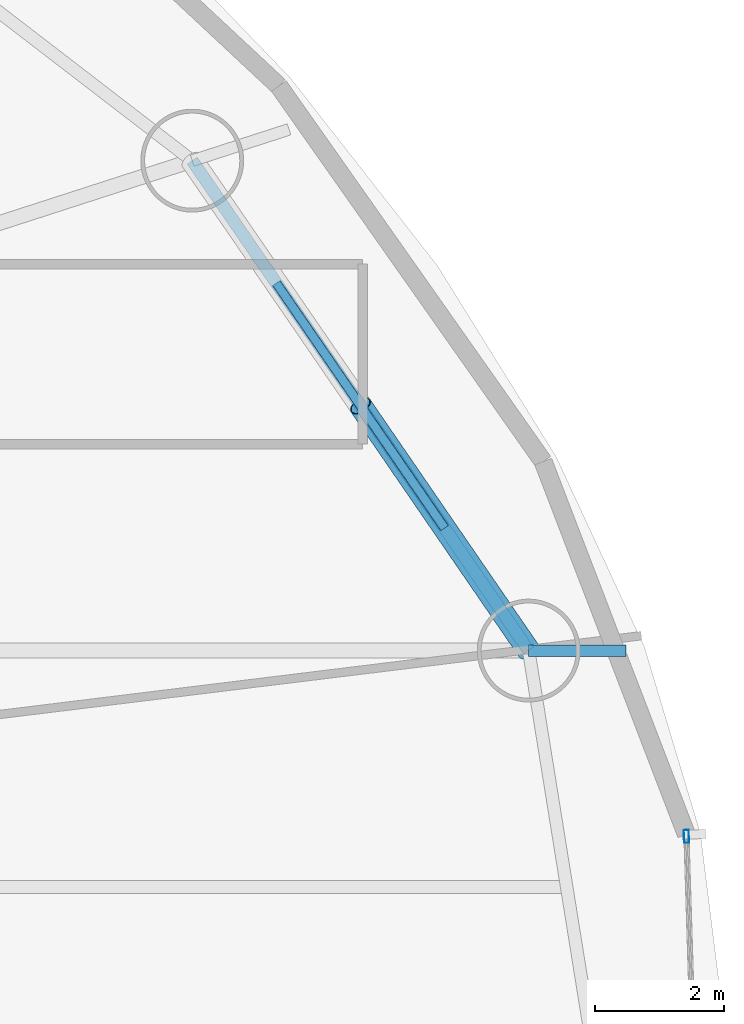
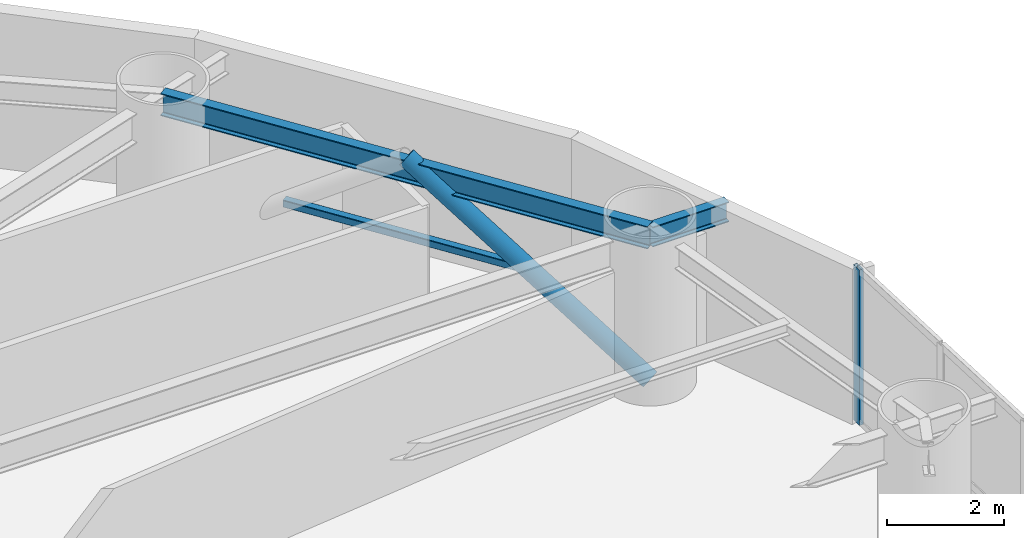
# One storey, part 14 of 27: 3 members, 2 beams, 1 element without a shape of its own.
"""IFC4 building model written with IfcOpenShell, lengths in metres."""

from ifc_helpers import new_model, si_unit, direction, frame, origin, origin_2d, place, context, subcontext, project, spatial, hollow_rectangle, hollow_circle, i_section, extrude, material, layer, layer_set, material_profile, profile_set, type_object, element, aggregate, save


model = new_model("IFC4")

# Units and contexts
model_context = context("Model", 3, precision=1e-05, world=origin(), true_north=direction((0.0, 1.0)))
body_context = subcontext(model_context, "Body", "Model", "MODEL_VIEW")
ifc_project = project(units=[si_unit("LENGTHUNIT", "METRE"), si_unit("AREAUNIT", "SQUARE_METRE"), si_unit("VOLUMEUNIT", "CUBIC_METRE"), si_unit("PLANEANGLEUNIT", "RADIAN"), si_unit("MASSUNIT", "GRAM", prefix="KILO")], contexts=[model_context])

# Site, building, storey
site_placement = place(None, origin())
site = spatial("IfcSite", under=ifc_project, at=site_placement, CompositionType="ELEMENT")
building_placement = place(site_placement, origin())
building = spatial("IfcBuilding", under=site, at=building_placement, Name="Bramvorn Convention Spire", CompositionType="ELEMENT")
storey_placement = place(building_placement, frame((0.0, 0.0, 72.89990234375)))
storey = spatial("IfcBuildingStorey", under=building, at=storey_placement, Name="L16", CompositionType="ELEMENT", Elevation=72.89990234375)

# Beams
ifc_material_1 = material(Name="Steel CSA G40.21 Grade 350 (350W)", Category="steel")
ifc_material_profile_1 = material_profile(ifc_material_1, i_section(OverallWidth=0.180908203125, OverallDepth=0.4169921875, WebThickness=0.010986328125, FlangeThickness=0.018310546875, FilletRadius=0.01611328125, at=origin_2d()))
ifc_profile_set_1 = profile_set([ifc_material_profile_1], Name="Steel CSA G40.21 Grade 350 (350W) - W410X85")
beam_type_1 = type_object("IfcBeamType", Name="BM-W410X85", PredefinedType="JOIST", material=ifc_profile_set_1)
beam_1_placement = place(storey_placement, frame((65.338623046875, 29.340087890625, 3.026611328125), z_axis=(1.0, 0.0, 0.0), x_axis=(0.0, 1.0, 0.0)))
element("IfcBeam", 1, at=beam_1_placement, inside=storey, type_object=beam_type_1, Name="L16 Sky-Garden cantilever tip girder MC02", PredefinedType="JOIST", context=body_context, shape_type="SweptSolid", body=[
    extrude(i_section(OverallWidth=0.180908203125, OverallDepth=0.4169921875, WebThickness=0.010986328125, FlangeThickness=0.018310546875, FilletRadius=0.01611328125, at=origin_2d()), origin(), (0.0, 0.0, 1.0), 1.512451171875),
])
ifc_material_profile_2 = material_profile(ifc_material_1, i_section(OverallWidth=0.194091796875, OverallDepth=0.468994140625, WebThickness=0.0126953125, FlangeThickness=0.0205078125, FilletRadius=0.01806640625, at=origin_2d()))
ifc_profile_set_2 = profile_set([ifc_material_profile_2], Name="Steel CSA G40.21 Grade 350 (350W) - W460X106")
beam_type_2 = type_object("IfcBeamType", Name="BM-W460X106", PredefinedType="SPANDREL", material=ifc_profile_set_2)
beam_2_placement = place(storey_placement, frame((65.338623046875, 29.340087890625, 3.015625), z_axis=(-0.566129730789, 0.824316157743, 0.0), x_axis=(-0.824316157743, -0.566129730789, 0.0)))
element("IfcBeam", 2, at=beam_2_placement, inside=storey, type_object=beam_type_2, Name="L16 mega-column ring beam 02", PredefinedType="SPANDREL", context=body_context, shape_type="SweptSolid", body=[
    extrude(i_section(OverallWidth=0.194091796875, OverallDepth=0.468994140625, WebThickness=0.0126953125, FlangeThickness=0.0205078125, FilletRadius=0.01806640625, at=origin_2d()), origin(), (0.0, 0.0, 1.0), 9.244140625),
])

# Curtain wall, member
ifc_material_2 = material(Name="Anodised Bronze Unitised Curtain Wall", Category="aluminium")
ifc_layer = layer(ifc_material_2, 0.179931640625)
ifc_layer_set = layer_set([ifc_layer], Name="Anodised Bronze Unitised Curtain Wall - CW-HTL-FRIT")
curtain_wall_type = type_object("IfcCurtainWallType", Name="CW-HTL-FRIT", PredefinedType="USERDEFINED", material=ifc_layer_set)
curtain_wall_placement = place(storey_placement, origin())
curtain_wall = element("IfcCurtainWall", 3, at=curtain_wall_placement, inside=storey, type_object=curtain_wall_type, Name="L16 fritted glass curtain wall 01", ObjectType="UNITISED CURTAIN WALL", PredefinedType="USERDEFINED")
ifc_material_3 = material(Name="Anodised Bronze Aluminium 6063-T6", Category="aluminium")
ifc_material_profile_3 = material_profile(ifc_material_3, hollow_rectangle(XDim=0.080078125, YDim=0.199951171875, WallThickness=0.00390625, InnerFilletRadius=0.0009765625, OuterFilletRadius=0.00390625, at=origin_2d()))
ifc_profile_set_3 = profile_set([ifc_material_profile_3], Name="Anodised Bronze Aluminium 6063-T6 - CWM80X200")
member_type_1 = type_object("IfcMemberType", Name="CW-MUL-180", PredefinedType="MULLION", material=ifc_profile_set_3)
member_1_placement = place(storey_placement, frame((67.792724609375, 26.45068359375, 0.0), z_axis=(0.0, 0.0, 1.0), x_axis=(0.999512697028, 0.031214875928, 0.0)))
member_1 = element("IfcMember", 4, at=member_1_placement, type_object=member_type_1, Name="CW2 mullion 1", PredefinedType="MULLION", context=body_context, shape_type="SweptSolid", body=[
    extrude(hollow_rectangle(XDim=0.080078125, YDim=0.199951171875, WallThickness=0.00390625, InnerFilletRadius=0.0009765625, OuterFilletRadius=0.00390625, at=origin_2d()), origin(), (0.0, 0.0, 1.0), 3.25),
])
aggregate(curtain_wall, [member_1])

# Members
ifc_material_profile_4 = material_profile(ifc_material_1, hollow_circle(Radius=0.177734375, WallThickness=0.015869140625, at=origin_2d()))
ifc_profile_set_4 = profile_set([ifc_material_profile_4], Name="Steel CSA G40.21 Grade 350 (350W) - CHS356X16")
member_type_2 = type_object("IfcMemberType", Name="MBR-CHS356X16", PredefinedType="BRACE", material=ifc_profile_set_4)
member_2_placement = place(storey_placement, frame((65.338623046875, 29.340087890625, 0.0), z_axis=(-0.463106048325, 0.674307985647, 0.575188254833), x_axis=(-0.824316157743, -0.566129730789, 0.0)))
element("IfcMember", 5, at=member_2_placement, inside=storey, type_object=member_type_2, Name="L16 perimeter Gothic lancet brace 2A", PredefinedType="BRACE", context=body_context, shape_type="SweptSolid", body=[
    extrude(hollow_circle(Radius=0.177734375, WallThickness=0.015869140625, at=origin_2d()), origin(), (0.0, 0.0, 1.0), 5.650390625),
])
ifc_material_profile_5 = material_profile(ifc_material_1, hollow_rectangle(XDim=0.15234375, YDim=0.15234375, WallThickness=0.009521484375, InnerFilletRadius=0.009521484375, OuterFilletRadius=0.01904296875, at=origin_2d()))
ifc_profile_set_5 = profile_set([ifc_material_profile_5], Name="Steel CSA G40.21 Grade 350 (350W) - HSS152X152X9.5")
member_type_3 = type_object("IfcMemberType", Name="MBR-HSS152X152X9.5", PredefinedType="STRUT", material=ifc_profile_set_5)
member_3_placement = place(storey_placement, frame((64.0302734375, 31.2451171875, 1.625), z_axis=(-0.566129730789, 0.824316157743, 0.0), x_axis=(-0.824316157743, -0.566129730789, 0.0)))
element("IfcMember", 6, at=member_3_placement, inside=storey, type_object=member_type_3, Name="L16 lancet mid-height collar tie 2", PredefinedType="STRUT", context=body_context, shape_type="SweptSolid", body=[
    extrude(hollow_rectangle(XDim=0.15234375, YDim=0.15234375, WallThickness=0.009521484375, InnerFilletRadius=0.009521484375, OuterFilletRadius=0.01904296875, at=origin_2d()), origin(), (0.0, 0.0, 1.0), 4.6220703125),
])

save(model, "model.ifc")
